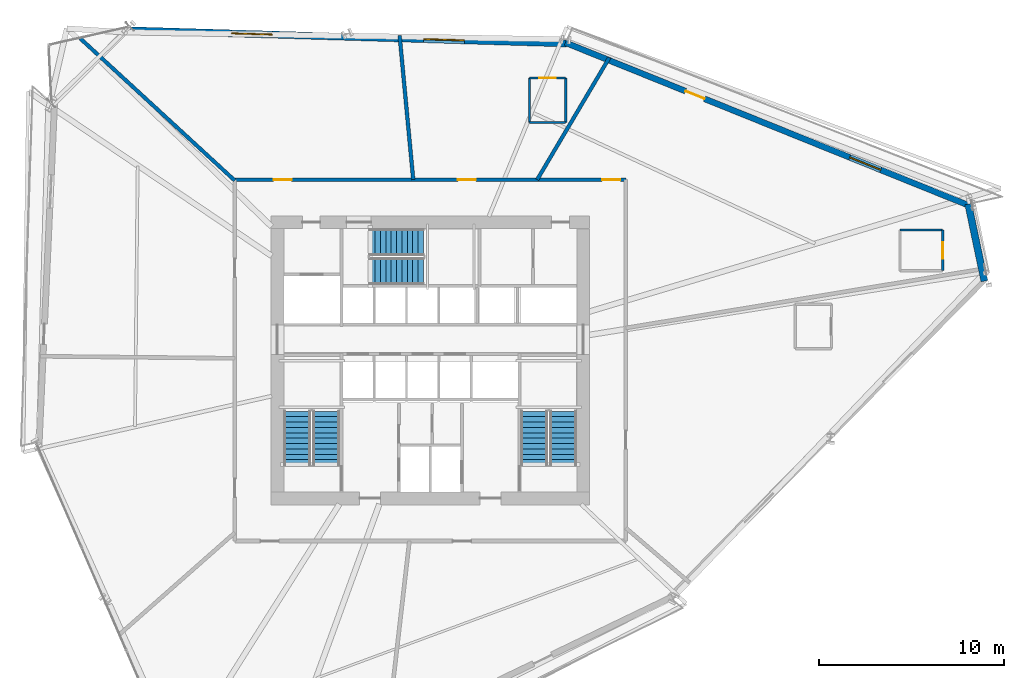
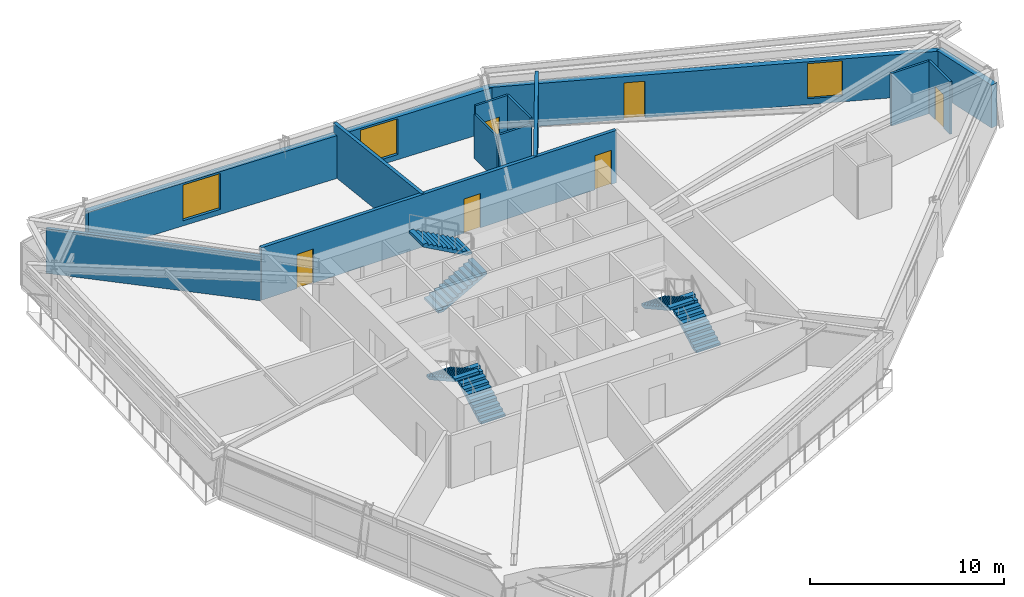
# One storey, part 15 of 19: 13 walls, 6 doors, 6 stair flights, 3 windows, 9 openings, 3 elements without a shape of their own.
"""IFC4 building model written with IfcOpenShell, lengths in metres."""

from ifc_helpers import new_model, si_unit, direction, frame, frame_2d, origin, place, context, subcontext, project, spatial, polyline, rectangle, outline, extrude, source, transform, mapped, material, layer, layer_set, type_object, type_shapes, element, fill, aggregate, save


model = new_model("IFC4")

# Units and contexts
model_context = context("Model", 3, precision=1e-05, world=origin(), true_north=direction((0.0, 1.0)))
body_context = subcontext(model_context, "Body", "Model", "MODEL_VIEW")
ifc_project = project(units=[si_unit("LENGTHUNIT", "METRE"), si_unit("AREAUNIT", "SQUARE_METRE"), si_unit("VOLUMEUNIT", "CUBIC_METRE"), si_unit("PLANEANGLEUNIT", "RADIAN"), si_unit("MASSUNIT", "GRAM", prefix="KILO")], contexts=[model_context])

# Site, building, storey
site_placement = place(None, origin())
site = spatial("IfcSite", under=ifc_project, at=site_placement, CompositionType="ELEMENT")
building_placement = place(site_placement, origin())
building = spatial("IfcBuilding", under=site, at=building_placement, Name="Olszyna Solenne Hotel", CompositionType="ELEMENT")
storey_placement = place(building_placement, frame((0.0, 0.0, 84.39990234375)))
storey = spatial("IfcBuildingStorey", under=building, at=storey_placement, Name="L21", CompositionType="ELEMENT", Elevation=84.39990234375)

# Wall, openings, door, window
ifc_material_1 = material(Name="Precast concrete C45/55", Category="concrete")
ifc_layer_1 = layer(ifc_material_1, 0.320068359375, Name="Precast concrete C45/55")
ifc_layer_set_1 = layer_set([ifc_layer_1], Name="Precast concrete C45/55")
wall_type_1 = type_object("IfcWallType", Name="WL-EX320", PredefinedType="SOLIDWALL", material=ifc_layer_set_1)
wall_1_placement = place(storey_placement, frame((45.28564453125, 43.74072265625, 0.0), z_axis=(0.0, 0.0, 1.0), x_axis=(0.927377791708, -0.374126223951, 0.0)))
wall_1 = element("IfcWall", 1, at=wall_1_placement, inside=storey, type_object=wall_type_1, Name="Exterior terracotta-precast frame wall WL-EX320 EW-L21-08", PredefinedType="SOLIDWALL", context=body_context, shape_type="SweptSolid", body=[
    extrude(rectangle(XDim=23.5751953125, YDim=0.320068359375, at=frame_2d((11.78759765625, 0.0))), origin(), (0.0, 0.0, 1.0), 2.692138671875),
])
opening_1_placement = place(wall_1_placement, frame((6.993896484375, 0.0, 0.0)))
opening_1 = element("IfcOpeningElement", 2, at=opening_1_placement, cuts=wall_1, Name="Opening LDG-L21-1", PredefinedType="OPENING", context=body_context, shape_type="SweptSolid", body=[
    extrude(rectangle(XDim=1.10009765625, YDim=2.300048828125, at=frame_2d((0.550048828125, 1.14990234375))), frame((0.0, 0.169921875, 0.0), z_axis=(0.0, -1.0, 0.0), x_axis=(1.0, 0.0, 0.0)), (0.0, 0.0, 1.0), 0.340087890625),
])
opening_2_placement = place(wall_1_placement, frame((16.5458984375, 0.0, 0.3720703125)))
opening_2 = element("IfcOpeningElement", 3, at=opening_2_placement, cuts=wall_1, Name="Opening WN-L21-112", PredefinedType="OPENING", context=body_context, shape_type="SweptSolid", body=[
    extrude(rectangle(XDim=1.800048828125, YDim=2.199951171875, at=frame_2d((0.89990234375, 1.10009765625))), frame((0.0, 0.169921875, 0.0), z_axis=(0.0, -1.0, 0.0), x_axis=(1.0, 0.0, 0.0)), (0.0, 0.0, 1.0), 0.340087890625),
])
ifc_material_2 = material(Name="Anodised bronze aluminium", Category="aluminium")
door_type_1 = type_object("IfcDoorType", Name="DR-LG1", OperationType="NOTDEFINED", PredefinedType="DOOR", material=ifc_material_2)
shared_shape_1 = source(origin(), body_context, "Body", "SweptSolid", [
    extrude(rectangle(XDim=1.10009765625, YDim=2.300048828125, at=frame_2d((0.550048828125, 1.14990234375))), frame((0.0, 0.02490234375, 0.0), z_axis=(0.0, -1.0, 0.0), x_axis=(1.0, 0.0, 0.0)), (0.0, 0.0, 1.0), 0.050048828125),
])
type_shapes(door_type_1, [shared_shape_1])
door_1_placement = place(opening_1_placement, origin())
door_1 = element("IfcDoor", 4, at=door_1_placement, inside=storey, type_object=door_type_1, Name="Exterior loggia balcony door DR-LG1 LDG-L21-1", OperationType="SINGLE_SWING_LEFT", OverallHeight=2.300048828125, OverallWidth=1.10009765625, PredefinedType="DOOR", context=body_context, shape_type="MappedRepresentation", body=[
    mapped(shared_shape_1, transform((0.0, 0.0, 0.0), x_axis=(1.0, 0.0, 0.0), y_axis=(0.0, 1.0, 0.0), z_axis=(0.0, 0.0, 1.0), scale=1.0)),
])
fill(opening_1, door_1)
ifc_material_3 = material(Name="Low-E triple glazing", Category="glass")
window_type_1 = type_object("IfcWindowType", Name="WN-HT1", PartitioningType="SINGLE_PANEL", PredefinedType="WINDOW", material=ifc_material_3)
shared_shape_2 = source(origin(), body_context, "Body", "SweptSolid", [
    extrude(rectangle(XDim=1.800048828125, YDim=2.199951171875, at=frame_2d((0.89990234375, 1.10009765625))), frame((0.0, 0.030029296875, 0.0), z_axis=(0.0, -1.0, 0.0), x_axis=(1.0, 0.0, 0.0)), (0.0, 0.0, 1.0), 0.06005859375),
])
type_shapes(window_type_1, [shared_shape_2])
window_1_placement = place(opening_2_placement, origin())
window_1 = element("IfcWindow", 5, at=window_1_placement, inside=storey, type_object=window_type_1, Name="Loggia room window WN-HT1 WN-L21-112", OverallHeight=2.199951171875, OverallWidth=1.800048828125, PartitioningType="SINGLE_PANEL", PredefinedType="WINDOW", context=body_context, shape_type="MappedRepresentation", body=[
    mapped(shared_shape_2, transform((0.0, 0.0, 0.0), x_axis=(1.0, 0.0, 0.0), y_axis=(0.0, 1.0, 0.0), z_axis=(0.0, 0.0, 1.0), scale=1.0)),
])
fill(opening_2, window_1)

# Wall, openings, windows
ifc_material_4 = material(Name="Terracotta cladding on precast concrete C45/55", Category="masonry")
ifc_layer_2 = layer(ifc_material_4, 0.3798828125, Name="Terracotta cladding on precast concrete C45/55")
ifc_layer_set_2 = layer_set([ifc_layer_2], Name="Terracotta cladding on precast concrete C45/55")
wall_type_2 = type_object("IfcWallType", Name="WL-EX380", PredefinedType="SOLIDWALL", material=ifc_layer_set_2)
wall_2_placement = place(storey_placement, frame((21.775146484375, 44.407958984375, 0.0), z_axis=(0.0, 0.0, 1.0), x_axis=(0.999548013015, -0.030062762319, 0.0)))
wall_2 = element("IfcWall", 6, at=wall_2_placement, inside=storey, type_object=wall_type_2, Name="Exterior terracotta-precast frame wall WL-EX380 EW-L21-07", PredefinedType="SOLIDWALL", context=body_context, shape_type="SweptSolid", body=[
    extrude(rectangle(XDim=23.575439453125, YDim=0.3798828125, at=frame_2d((11.78759765625, 0.0))), origin(), (0.0, 0.0, 1.0), 2.692138671875),
])
opening_3_placement = place(wall_2_placement, frame((5.5009765625, 0.0, 0.322021484375)))
opening_3 = element("IfcOpeningElement", 7, at=opening_3_placement, cuts=wall_2, Name="Opening WN-L21-110", PredefinedType="OPENING", context=body_context, shape_type="SweptSolid", body=[
    extrude(rectangle(XDim=2.199951171875, YDim=2.25, at=frame_2d((1.10009765625, 1.125))), frame((0.0, 0.199951171875, 0.0), z_axis=(0.0, -1.0, 0.0), x_axis=(1.0, 0.0, 0.0)), (0.0, 0.0, 1.0), 0.39990234375),
])
opening_4_placement = place(wall_2_placement, frame((15.8740234375, 0.0, 0.322021484375)))
opening_4 = element("IfcOpeningElement", 8, at=opening_4_placement, cuts=wall_2, Name="Opening WN-L21-111", PredefinedType="OPENING", context=body_context, shape_type="SweptSolid", body=[
    extrude(rectangle(XDim=2.199951171875, YDim=2.25, at=frame_2d((1.10009765625, 1.125))), frame((0.0, 0.199951171875, 0.0), z_axis=(0.0, -1.0, 0.0), x_axis=(1.0, 0.0, 0.0)), (0.0, 0.0, 1.0), 0.39990234375),
])
window_type_2 = type_object("IfcWindowType", Name="WN-HT2", PartitioningType="SINGLE_PANEL", PredefinedType="WINDOW", material=ifc_material_3)
shared_shape_3 = source(origin(), body_context, "Body", "SweptSolid", [
    extrude(rectangle(XDim=2.199951171875, YDim=2.25, at=frame_2d((1.10009765625, 1.125))), frame((0.0, 0.030029296875, 0.0), z_axis=(0.0, -1.0, 0.0), x_axis=(1.0, 0.0, 0.0)), (0.0, 0.0, 1.0), 0.06005859375),
])
type_shapes(window_type_2, [shared_shape_3])
window_2_placement = place(opening_3_placement, origin())
window_2 = element("IfcWindow", 9, at=window_2_placement, inside=storey, type_object=window_type_2, Name="Exterior facade window WN-HT2 WN-L21-110", OverallHeight=2.25, OverallWidth=2.199951171875, PartitioningType="SINGLE_PANEL", PredefinedType="WINDOW", context=body_context, shape_type="MappedRepresentation", body=[
    mapped(shared_shape_3, transform((0.0, 0.0, 0.0), x_axis=(1.0, 0.0, 0.0), y_axis=(0.0, 1.0, 0.0), z_axis=(0.0, 0.0, 1.0), scale=1.0)),
])
fill(opening_3, window_2)
window_3_placement = place(opening_4_placement, origin())
window_3 = element("IfcWindow", 10, at=window_3_placement, inside=storey, type_object=window_type_2, Name="Exterior facade window WN-HT2 WN-L21-111", OverallHeight=2.25, OverallWidth=2.199951171875, PartitioningType="SINGLE_PANEL", PredefinedType="WINDOW", context=body_context, shape_type="MappedRepresentation", body=[
    mapped(shared_shape_3, transform((0.0, 0.0, 0.0), x_axis=(1.0, 0.0, 0.0), y_axis=(0.0, 1.0, 0.0), z_axis=(0.0, 0.0, 1.0), scale=1.0)),
])
fill(opening_4, window_3)

# Wall
wall_3_placement = place(storey_placement, frame((67.022705078125, 35.030029296875, 0.0), z_axis=(0.0, 0.0, 1.0), x_axis=(0.205390638941, -0.978680073076, 0.0)))
element("IfcWall", 11, at=wall_3_placement, inside=storey, type_object=wall_type_2, Name="Exterior terracotta-precast frame wall WL-EX380 EW-L21-09", PredefinedType="SOLIDWALL", context=body_context, shape_type="SweptSolid", body=[
    extrude(rectangle(XDim=4.248291015625, YDim=0.3798828125, at=frame_2d((2.1240234375, 0.0))), origin(), (0.0, 0.0, 1.0), 2.692138671875),
])

# Wall, opening, door
ifc_material_5 = material(Name="Acoustic gypsum partition", Category="gypsum")
ifc_layer_3 = layer(ifc_material_5, 0.125, Name="Acoustic gypsum partition")
ifc_layer_set_3 = layer_set([ifc_layer_3], Name="Acoustic gypsum partition")
wall_type_3 = type_object("IfcWallType", Name="WL-PT125", PredefinedType="PARTITIONING", material=ifc_layer_set_3)
wall_4_placement = place(storey_placement, frame((65.637939453125, 31.43408203125, 0.0), z_axis=(0.0, 0.0, 1.0), x_axis=(0.0, 1.0, 0.0)))
wall_4 = element("IfcWall", 12, at=wall_4_placement, inside=storey, type_object=wall_type_3, Name="Interior acoustic partition WL-PT125 PW-L21-1183", PredefinedType="PARTITIONING", context=body_context, shape_type="SweptSolid", body=[
    extrude(rectangle(XDim=2.199951171875, YDim=0.125, at=frame_2d((1.10009765625, 0.0))), origin(), (0.0, 0.0, 1.0), 3.300048828125),
])
opening_5_placement = place(wall_4_placement, frame((0.64990234375, 0.0, 0.0)))
opening_5 = element("IfcOpeningElement", 13, at=opening_5_placement, cuts=wall_4, Name="Opening DR-L21-0270", PredefinedType="OPENING", context=body_context, shape_type="SweptSolid", body=[
    extrude(rectangle(XDim=0.89990234375, YDim=2.10009765625, at=frame_2d((0.449951171875, 1.050048828125))), frame((0.0, 0.072509765625, 0.0), z_axis=(0.0, -1.0, 0.0), x_axis=(1.0, 0.0, 0.0)), (0.0, 0.0, 1.0), 0.14501953125),
])
ifc_material_6 = material(Name="Timber hardwood", Category="wood")
door_type_2 = type_object("IfcDoorType", Name="DR-WC1", OperationType="NOTDEFINED", PredefinedType="DOOR", material=ifc_material_6)
shared_shape_4 = source(origin(), body_context, "Body", "SweptSolid", [
    extrude(rectangle(XDim=0.89990234375, YDim=2.10009765625, at=frame_2d((0.449951171875, 1.050048828125))), frame((0.0, 0.02490234375, 0.0), z_axis=(0.0, -1.0, 0.0), x_axis=(1.0, 0.0, 0.0)), (0.0, 0.0, 1.0), 0.050048828125),
])
type_shapes(door_type_2, [shared_shape_4])
door_2_placement = place(opening_5_placement, origin())
door_2 = element("IfcDoor", 14, at=door_2_placement, inside=storey, type_object=door_type_2, Name="En-Suite Bathroom Door DR-L21-0270", OperationType="SINGLE_SWING_RIGHT", OverallHeight=2.10009765625, OverallWidth=0.89990234375, PredefinedType="DOOR", context=body_context, shape_type="MappedRepresentation", body=[
    mapped(shared_shape_4, transform((0.0, 0.0, 0.0), x_axis=(1.0, 0.0, 0.0), y_axis=(0.0, 1.0, 0.0), z_axis=(0.0, 0.0, 1.0), scale=1.0)),
])
fill(opening_5, door_2)

# Walls
wall_5_placement = place(storey_placement, frame((65.637939453125, 33.634033203125, 0.0), z_axis=(0.0, 0.0, 1.0), x_axis=(-1.0, 0.0, 0.0)))
element("IfcWall", 15, at=wall_5_placement, inside=storey, type_object=wall_type_3, Name="Interior acoustic partition WL-PT125 PW-L21-1184", PredefinedType="PARTITIONING", context=body_context, shape_type="SweptSolid", body=[
    extrude(rectangle(XDim=2.300048828125, YDim=0.125, at=frame_2d((1.14990234375, 0.0))), origin(), (0.0, 0.0, 1.0), 3.300048828125),
])
wall_6_placement = place(storey_placement, frame((45.301025390625, 39.431884765625, 0.0), z_axis=(0.0, 0.0, 1.0), x_axis=(0.0, 1.0, 0.0)))
element("IfcWall", 16, at=wall_6_placement, inside=storey, type_object=wall_type_3, Name="Interior acoustic partition WL-PT125 PW-L21-1187", PredefinedType="PARTITIONING", context=body_context, shape_type="SweptSolid", body=[
    extrude(rectangle(XDim=2.400146484375, YDim=0.125, at=frame_2d((1.2001953125, 0.0))), origin(), (0.0, 0.0, 1.0), 3.300048828125),
])

# Wall, opening, door
wall_7_placement = place(storey_placement, frame((45.301025390625, 41.83203125, 0.0), z_axis=(0.0, 0.0, 1.0), x_axis=(-1.0, 0.0, 0.0)))
wall_7 = element("IfcWall", 17, at=wall_7_placement, inside=storey, type_object=wall_type_3, Name="Interior acoustic partition WL-PT125 PW-L21-1188", PredefinedType="PARTITIONING", context=body_context, shape_type="SweptSolid", body=[
    extrude(rectangle(XDim=1.949951171875, YDim=0.125, at=frame_2d((0.97509765625, 0.0))), origin(), (0.0, 0.0, 1.0), 3.300048828125),
])
opening_6_placement = place(wall_7_placement, frame((0.52490234375, 0.0, 0.0)))
opening_6 = element("IfcOpeningElement", 18, at=opening_6_placement, cuts=wall_7, Name="Opening DR-L21-0271", PredefinedType="OPENING", context=body_context, shape_type="SweptSolid", body=[
    extrude(rectangle(XDim=0.89990234375, YDim=2.10009765625, at=frame_2d((0.449951171875, 1.050048828125))), frame((0.0, 0.072509765625, 0.0), z_axis=(0.0, -1.0, 0.0), x_axis=(1.0, 0.0, 0.0)), (0.0, 0.0, 1.0), 0.14501953125),
])
door_3_placement = place(opening_6_placement, origin())
door_3 = element("IfcDoor", 19, at=door_3_placement, inside=storey, type_object=door_type_2, Name="En-Suite Bathroom Door DR-L21-0271", OperationType="SINGLE_SWING_LEFT", OverallHeight=2.10009765625, OverallWidth=0.89990234375, PredefinedType="DOOR", context=body_context, shape_type="MappedRepresentation", body=[
    mapped(shared_shape_4, transform((0.0, 0.0, 0.0), x_axis=(1.0, 0.0, 0.0), y_axis=(0.0, 1.0, 0.0), z_axis=(0.0, 0.0, 1.0), scale=1.0)),
])
fill(opening_6, door_3)

# Walls
wall_8_placement = place(storey_placement, frame((43.35107421875, 41.83203125, 0.0), z_axis=(0.0, 0.0, 1.0), x_axis=(0.0, -1.0, 0.0)))
element("IfcWall", 20, at=wall_8_placement, inside=storey, type_object=wall_type_3, Name="Interior acoustic partition WL-PT125 PW-L21-1189", PredefinedType="PARTITIONING", context=body_context, shape_type="SweptSolid", body=[
    extrude(rectangle(XDim=2.400146484375, YDim=0.125, at=frame_2d((1.2001953125, 0.0))), origin(), (0.0, 0.0, 1.0), 2.78515625),
])
wall_9_placement = place(storey_placement, frame((43.35107421875, 39.431884765625, 0.0), z_axis=(0.0, 0.0, 1.0), x_axis=(1.0, 0.0, 0.0)))
element("IfcWall", 21, at=wall_9_placement, inside=storey, type_object=wall_type_3, Name="Interior acoustic partition WL-PT125 PW-L21-1190", PredefinedType="PARTITIONING", context=body_context, shape_type="SweptSolid", body=[
    extrude(rectangle(XDim=1.949951171875, YDim=0.125, at=frame_2d((0.97509765625, 0.0))), origin(), (0.0, 0.0, 1.0), 2.925048828125),
])
ifc_layer_4 = layer(ifc_material_5, 0.199951171875, Name="Acoustic gypsum partition")
ifc_layer_set_4 = layer_set([ifc_layer_4], Name="Acoustic gypsum partition")
wall_type_4 = type_object("IfcWallType", Name="WL-PT200", PredefinedType="PARTITIONING", material=ifc_layer_set_4)
wall_10_placement = place(storey_placement, frame((37.078369140625, 36.35009765625, 0.0), z_axis=(0.0, 0.0, 1.0), x_axis=(-0.094101381128, 0.995562619864, 0.0)))
element("IfcWall", 22, at=wall_10_placement, inside=storey, type_object=wall_type_4, Name="Interior acoustic partition WL-PT200 PW-L21-1171", PredefinedType="PARTITIONING", context=body_context, shape_type="SweptSolid", body=[
    extrude(rectangle(XDim=7.814453125, YDim=0.199951171875, at=frame_2d((3.9072265625, 0.0))), origin(), (0.0, 0.0, 1.0), 3.300048828125),
])
wall_11_placement = place(storey_placement, frame((27.449951171875, 36.30126953125, 0.0), z_axis=(0.0, 0.0, 1.0), x_axis=(-0.736099373834, 0.676873482891, 0.0)))
element("IfcWall", 23, at=wall_11_placement, inside=storey, type_object=wall_type_4, Name="Interior acoustic partition WL-PT200 PW-L21-1172", PredefinedType="PARTITIONING", context=body_context, shape_type="SweptSolid", body=[
    extrude(rectangle(XDim=11.327880859375, YDim=0.199951171875, at=frame_2d((5.6640625, 0.0))), origin(), (0.0, 0.0, 1.0), 2.795166015625),
])
wall_12_placement = place(storey_placement, frame((43.76611328125, 36.35009765625, 0.0), z_axis=(0.0, 0.0, 1.0), x_axis=(0.509052298175, 0.860735591063, 0.0)))
element("IfcWall", 24, at=wall_12_placement, inside=storey, type_object=wall_type_4, Name="Interior acoustic partition WL-PT200 PW-L21-1178", PredefinedType="PARTITIONING", context=body_context, shape_type="SweptSolid", body=[
    extrude(rectangle(XDim=7.63916015625, YDim=0.199951171875, at=frame_2d((3.819580078125, 0.0))), origin(), (0.0, 0.0, 1.0), 3.300048828125),
])

# Wall, openings, doors
wall_13_placement = place(storey_placement, frame((27.449951171875, 36.35009765625, 0.0), z_axis=(0.0, 0.0, 1.0), x_axis=(1.0, 0.0, 0.0)))
wall_13 = element("IfcWall", 25, at=wall_13_placement, inside=storey, type_object=wall_type_4, Name="Interior acoustic partition WL-PT200 PW-L21-1193", PredefinedType="PARTITIONING", context=body_context, shape_type="SweptSolid", body=[
    extrude(rectangle(XDim=21.10009765625, YDim=0.199951171875, at=frame_2d((10.550048828125, 0.0))), origin(), (0.0, 0.0, 1.0), 3.300048828125),
])
opening_7_placement = place(wall_13_placement, frame((2.092041015625, 0.0, 0.0)))
opening_7 = element("IfcOpeningElement", 26, at=opening_7_placement, cuts=wall_13, Name="Opening DR-L21-0276", PredefinedType="OPENING", context=body_context, shape_type="SweptSolid", body=[
    extrude(rectangle(XDim=0.97998046875, YDim=2.14990234375, at=frame_2d((0.489990234375, 1.074951171875))), frame((0.0, 0.10986328125, 0.0), z_axis=(0.0, -1.0, 0.0), x_axis=(1.0, 0.0, 0.0)), (0.0, 0.0, 1.0), 0.219970703125),
])
opening_8_placement = place(wall_13_placement, frame((19.820068359375, 0.0, 0.0)))
opening_8 = element("IfcOpeningElement", 27, at=opening_8_placement, cuts=wall_13, Name="Opening DR-L21-0277", PredefinedType="OPENING", context=body_context, shape_type="SweptSolid", body=[
    extrude(rectangle(XDim=0.97998046875, YDim=2.14990234375, at=frame_2d((0.489990234375, 1.074951171875))), frame((0.0, 0.10986328125, 0.0), z_axis=(0.0, -1.0, 0.0), x_axis=(1.0, 0.0, 0.0)), (0.0, 0.0, 1.0), 0.219970703125),
])
opening_9_placement = place(wall_13_placement, frame((12.031982421875, 0.0, 0.0)))
opening_9 = element("IfcOpeningElement", 28, at=opening_9_placement, cuts=wall_13, Name="Opening DR-L21-0278", PredefinedType="OPENING", context=body_context, shape_type="SweptSolid", body=[
    extrude(rectangle(XDim=0.97998046875, YDim=2.14990234375, at=frame_2d((0.489990234375, 1.074951171875))), frame((0.0, 0.10986328125, 0.0), z_axis=(0.0, -1.0, 0.0), x_axis=(1.0, 0.0, 0.0)), (0.0, 0.0, 1.0), 0.219970703125),
])
door_type_3 = type_object("IfcDoorType", Name="DR-RM1", OperationType="NOTDEFINED", PredefinedType="DOOR", material=ifc_material_6)
shared_shape_5 = source(origin(), body_context, "Body", "SweptSolid", [
    extrude(rectangle(XDim=0.97998046875, YDim=2.14990234375, at=frame_2d((0.489990234375, 1.074951171875))), frame((0.0, 0.02490234375, 0.0), z_axis=(0.0, -1.0, 0.0), x_axis=(1.0, 0.0, 0.0)), (0.0, 0.0, 1.0), 0.050048828125),
])
type_shapes(door_type_3, [shared_shape_5])
door_4_placement = place(opening_7_placement, origin())
door_4 = element("IfcDoor", 29, at=door_4_placement, inside=storey, type_object=door_type_3, Name="Private Business Office Entrance Door DR-L21-0276", OperationType="SINGLE_SWING_RIGHT", OverallHeight=2.14990234375, OverallWidth=0.97998046875, PredefinedType="DOOR", context=body_context, shape_type="MappedRepresentation", body=[
    mapped(shared_shape_5, transform((0.0, 0.0, 0.0), x_axis=(1.0, 0.0, 0.0), y_axis=(0.0, 1.0, 0.0), z_axis=(0.0, 0.0, 1.0), scale=1.0)),
])
fill(opening_7, door_4)
door_5_placement = place(opening_8_placement, origin())
door_5 = element("IfcDoor", 30, at=door_5_placement, inside=storey, type_object=door_type_3, Name="Deluxe Hotel Guestroom Entrance Door DR-L21-0277", OperationType="SINGLE_SWING_RIGHT", OverallHeight=2.14990234375, OverallWidth=0.97998046875, PredefinedType="DOOR", context=body_context, shape_type="MappedRepresentation", body=[
    mapped(shared_shape_5, transform((0.0, 0.0, 0.0), x_axis=(1.0, 0.0, 0.0), y_axis=(0.0, 1.0, 0.0), z_axis=(0.0, 0.0, 1.0), scale=1.0)),
])
fill(opening_8, door_5)
door_6_placement = place(opening_9_placement, origin())
door_6 = element("IfcDoor", 31, at=door_6_placement, inside=storey, type_object=door_type_3, Name="Executive Reading Salon Entrance Door DR-L21-0278", OperationType="SINGLE_SWING_LEFT", OverallHeight=2.14990234375, OverallWidth=0.97998046875, PredefinedType="DOOR", context=body_context, shape_type="MappedRepresentation", body=[
    mapped(shared_shape_5, transform((0.0, 0.0, 0.0), x_axis=(1.0, 0.0, 0.0), y_axis=(0.0, 1.0, 0.0), z_axis=(0.0, 0.0, 1.0), scale=1.0)),
])
fill(opening_9, door_6)

# Stair, stair flights
ifc_material_7 = material(Name="Concrete C40/50", Category="concrete")
stair_type = type_object("IfcStairType", Name="STR-C1", PredefinedType="TWO_QUARTER_WINDING_STAIR", material=ifc_material_7)
stair_1_placement = place(storey_placement, origin())
stair_1 = element("IfcStair", 32, at=stair_1_placement, inside=storey, type_object=stair_type, Name="L21 ST1", PredefinedType="TWO_QUARTER_WINDING_STAIR")
stair_flight_type = type_object("IfcStairFlightType", Name="FLT-C1", PredefinedType="STRAIGHT", material=ifc_material_7)
stair_flight_1_placement = place(storey_placement, frame((32.39501953125, 20.949951171875, 0.0), z_axis=(0.0, 0.0, 1.0), x_axis=(0.0, 1.0, 0.0)))
stair_flight_1 = element("IfcStairFlight", 33, at=stair_flight_1_placement, type_object=stair_flight_type, Name="ST1 flight 1", NumberOfRisers=11, NumberOfTreads=10, PredefinedType="STRAIGHT", RiserHeight=0.161363636, TreadLength=0.29, context=body_context, shape_type="SweptSolid", body=[
    extrude(outline(polyline([(0.0, 0.0), (0.0, 0.161376953125), (0.2900390625, 0.161376953125), (0.2900390625, 0.32275390625), (0.580078125, 0.32275390625), (0.580078125, 0.484130859375), (0.8701171875, 0.484130859375), (0.8701171875, 0.6455078125), (1.159912109375, 0.6455078125), (1.159912109375, 0.806884765625), (1.449951171875, 0.806884765625), (1.449951171875, 0.96826171875), (1.739990234375, 0.96826171875), (1.739990234375, 1.129638671875), (2.030029296875, 1.129638671875), (2.030029296875, 1.291015625), (2.320068359375, 1.291015625), (2.320068359375, 1.452392578125), (2.610107421875, 1.452392578125), (2.610107421875, 1.613525390625), (2.89990234375, 1.613525390625), (2.89990234375, 1.77490234375), (2.89990234375, 1.442138671875), (0.308349609375, 0.0), (0.0, 0.0)])), frame((0.0, 0.72509765625, 0.0), z_axis=(0.0, -1.0, 0.0), x_axis=(1.0, 0.0, 0.0)), (0.0, 0.0, 1.0), 1.449951171875),
])
stair_flight_2_placement = place(storey_placement, frame((30.824951171875, 23.85009765625, 1.775146484375), z_axis=(0.0, 0.0, 1.0), x_axis=(0.0, -1.0, 0.0)))
stair_flight_2 = element("IfcStairFlight", 34, at=stair_flight_2_placement, type_object=stair_flight_type, Name="ST1 flight 2", NumberOfRisers=11, NumberOfTreads=10, PredefinedType="STRAIGHT", RiserHeight=0.161363636, TreadLength=0.29, context=body_context, shape_type="SweptSolid", body=[
    extrude(outline(polyline([(0.0, 0.0), (0.0, 0.161376953125), (0.2900390625, 0.161376953125), (0.2900390625, 0.32275390625), (0.580078125, 0.32275390625), (0.580078125, 0.484130859375), (0.8701171875, 0.484130859375), (0.8701171875, 0.6455078125), (1.159912109375, 0.6455078125), (1.159912109375, 0.806884765625), (1.449951171875, 0.806884765625), (1.449951171875, 0.96826171875), (1.739990234375, 0.96826171875), (1.739990234375, 1.129638671875), (2.030029296875, 1.129638671875), (2.030029296875, 1.291015625), (2.320068359375, 1.291015625), (2.320068359375, 1.452392578125), (2.610107421875, 1.452392578125), (2.610107421875, 1.613525390625), (2.89990234375, 1.613525390625), (2.89990234375, 1.77490234375), (2.89990234375, 1.442138671875), (0.308349609375, 0.0), (0.0, 0.0)])), frame((0.0, 0.72509765625, 0.0), z_axis=(0.0, -1.0, 0.0), x_axis=(1.0, 0.0, 0.0)), (0.0, 0.0, 1.0), 1.449951171875),
])
aggregate(stair_1, [stair_flight_1, stair_flight_2])

stair_2_placement = place(storey_placement, origin())
stair_2 = element("IfcStair", 35, at=stair_2_placement, inside=storey, type_object=stair_type, Name="L21 ST2", PredefinedType="TWO_QUARTER_WINDING_STAIR")
stair_flight_3_placement = place(storey_placement, frame((45.175048828125, 20.949951171875, 0.0), z_axis=(0.0, 0.0, 1.0), x_axis=(0.0, 1.0, 0.0)))
stair_flight_3 = element("IfcStairFlight", 36, at=stair_flight_3_placement, type_object=stair_flight_type, Name="ST2 flight 1", NumberOfRisers=11, NumberOfTreads=10, PredefinedType="STRAIGHT", RiserHeight=0.161363636, TreadLength=0.29, context=body_context, shape_type="SweptSolid", body=[
    extrude(outline(polyline([(0.0, 0.0), (0.0, 0.161376953125), (0.2900390625, 0.161376953125), (0.2900390625, 0.32275390625), (0.580078125, 0.32275390625), (0.580078125, 0.484130859375), (0.8701171875, 0.484130859375), (0.8701171875, 0.6455078125), (1.159912109375, 0.6455078125), (1.159912109375, 0.806884765625), (1.449951171875, 0.806884765625), (1.449951171875, 0.96826171875), (1.739990234375, 0.96826171875), (1.739990234375, 1.129638671875), (2.030029296875, 1.129638671875), (2.030029296875, 1.291015625), (2.320068359375, 1.291015625), (2.320068359375, 1.452392578125), (2.610107421875, 1.452392578125), (2.610107421875, 1.613525390625), (2.89990234375, 1.613525390625), (2.89990234375, 1.77490234375), (2.89990234375, 1.442138671875), (0.308349609375, 0.0), (0.0, 0.0)])), frame((0.0, 0.72509765625, 0.0), z_axis=(0.0, -1.0, 0.0), x_axis=(1.0, 0.0, 0.0)), (0.0, 0.0, 1.0), 1.449951171875),
])
stair_flight_4_placement = place(storey_placement, frame((43.60498046875, 23.85009765625, 1.775146484375), z_axis=(0.0, 0.0, 1.0), x_axis=(0.0, -1.0, 0.0)))
stair_flight_4 = element("IfcStairFlight", 37, at=stair_flight_4_placement, type_object=stair_flight_type, Name="ST2 flight 2", NumberOfRisers=11, NumberOfTreads=10, PredefinedType="STRAIGHT", RiserHeight=0.161363636, TreadLength=0.29, context=body_context, shape_type="SweptSolid", body=[
    extrude(outline(polyline([(0.0, 0.0), (0.0, 0.161376953125), (0.2900390625, 0.161376953125), (0.2900390625, 0.32275390625), (0.580078125, 0.32275390625), (0.580078125, 0.484130859375), (0.8701171875, 0.484130859375), (0.8701171875, 0.6455078125), (1.159912109375, 0.6455078125), (1.159912109375, 0.806884765625), (1.449951171875, 0.806884765625), (1.449951171875, 0.96826171875), (1.739990234375, 0.96826171875), (1.739990234375, 1.129638671875), (2.030029296875, 1.129638671875), (2.030029296875, 1.291015625), (2.320068359375, 1.291015625), (2.320068359375, 1.452392578125), (2.610107421875, 1.452392578125), (2.610107421875, 1.613525390625), (2.89990234375, 1.613525390625), (2.89990234375, 1.77490234375), (2.89990234375, 1.442138671875), (0.308349609375, 0.0), (0.0, 0.0)])), frame((0.0, 0.72509765625, 0.0), z_axis=(0.0, -1.0, 0.0), x_axis=(1.0, 0.0, 0.0)), (0.0, 0.0, 1.0), 1.449951171875),
])
aggregate(stair_2, [stair_flight_3, stair_flight_4])

stair_3_placement = place(storey_placement, origin())
stair_3 = element("IfcStair", 38, at=stair_3_placement, inside=storey, type_object=stair_type, Name="L21 ST3", PredefinedType="TWO_QUARTER_WINDING_STAIR")
stair_flight_5_placement = place(storey_placement, frame((34.72998046875, 31.405029296875, 0.0), z_axis=(0.0, 0.0, 1.0), x_axis=(1.0, 0.0, 0.0)))
stair_flight_5 = element("IfcStairFlight", 39, at=stair_flight_5_placement, type_object=stair_flight_type, Name="ST3 flight 1", NumberOfRisers=11, NumberOfTreads=10, PredefinedType="STRAIGHT", RiserHeight=0.161363636, TreadLength=0.29, context=body_context, shape_type="SweptSolid", body=[
    extrude(outline(polyline([(0.0, 0.0), (0.0, 0.161376953125), (0.2900390625, 0.161376953125), (0.2900390625, 0.32275390625), (0.580078125, 0.32275390625), (0.580078125, 0.484130859375), (0.8701171875, 0.484130859375), (0.8701171875, 0.6455078125), (1.159912109375, 0.6455078125), (1.159912109375, 0.806884765625), (1.449951171875, 0.806884765625), (1.449951171875, 0.96826171875), (1.739990234375, 0.96826171875), (1.739990234375, 1.129638671875), (2.030029296875, 1.129638671875), (2.030029296875, 1.291015625), (2.320068359375, 1.291015625), (2.320068359375, 1.452392578125), (2.610107421875, 1.452392578125), (2.610107421875, 1.613525390625), (2.89990234375, 1.613525390625), (2.89990234375, 1.77490234375), (2.89990234375, 1.442138671875), (0.308349609375, 0.0), (0.0, 0.0)])), frame((0.0, 0.72509765625, 0.0), z_axis=(0.0, -1.0, 0.0), x_axis=(1.0, 0.0, 0.0)), (0.0, 0.0, 1.0), 1.449951171875),
])
stair_flight_6_placement = place(storey_placement, frame((37.6298828125, 32.97509765625, 1.775146484375), z_axis=(0.0, 0.0, 1.0), x_axis=(-1.0, 0.0, 0.0)))
stair_flight_6 = element("IfcStairFlight", 40, at=stair_flight_6_placement, type_object=stair_flight_type, Name="ST3 flight 2", NumberOfRisers=11, NumberOfTreads=10, PredefinedType="STRAIGHT", RiserHeight=0.161363636, TreadLength=0.29, context=body_context, shape_type="SweptSolid", body=[
    extrude(outline(polyline([(0.0, 0.0), (0.0, 0.161376953125), (0.2900390625, 0.161376953125), (0.2900390625, 0.32275390625), (0.580078125, 0.32275390625), (0.580078125, 0.484130859375), (0.8701171875, 0.484130859375), (0.8701171875, 0.6455078125), (1.159912109375, 0.6455078125), (1.159912109375, 0.806884765625), (1.449951171875, 0.806884765625), (1.449951171875, 0.96826171875), (1.739990234375, 0.96826171875), (1.739990234375, 1.129638671875), (2.030029296875, 1.129638671875), (2.030029296875, 1.291015625), (2.320068359375, 1.291015625), (2.320068359375, 1.452392578125), (2.610107421875, 1.452392578125), (2.610107421875, 1.613525390625), (2.89990234375, 1.613525390625), (2.89990234375, 1.77490234375), (2.89990234375, 1.442138671875), (0.308349609375, 0.0), (0.0, 0.0)])), frame((0.0, 0.72509765625, 0.0), z_axis=(0.0, -1.0, 0.0), x_axis=(1.0, 0.0, 0.0)), (0.0, 0.0, 1.0), 1.449951171875),
])
aggregate(stair_3, [stair_flight_5, stair_flight_6])

save(model, "model.ifc")
